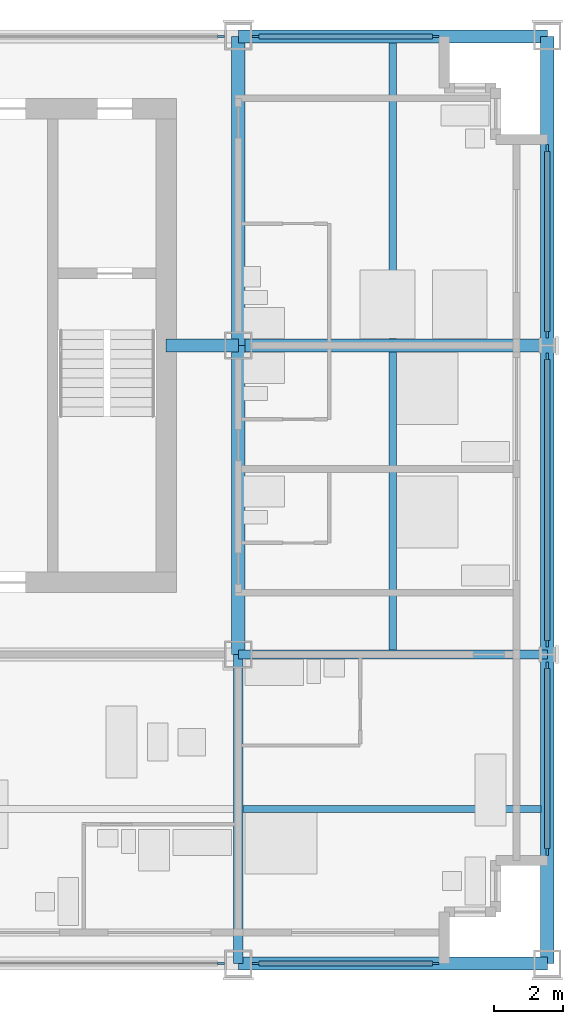
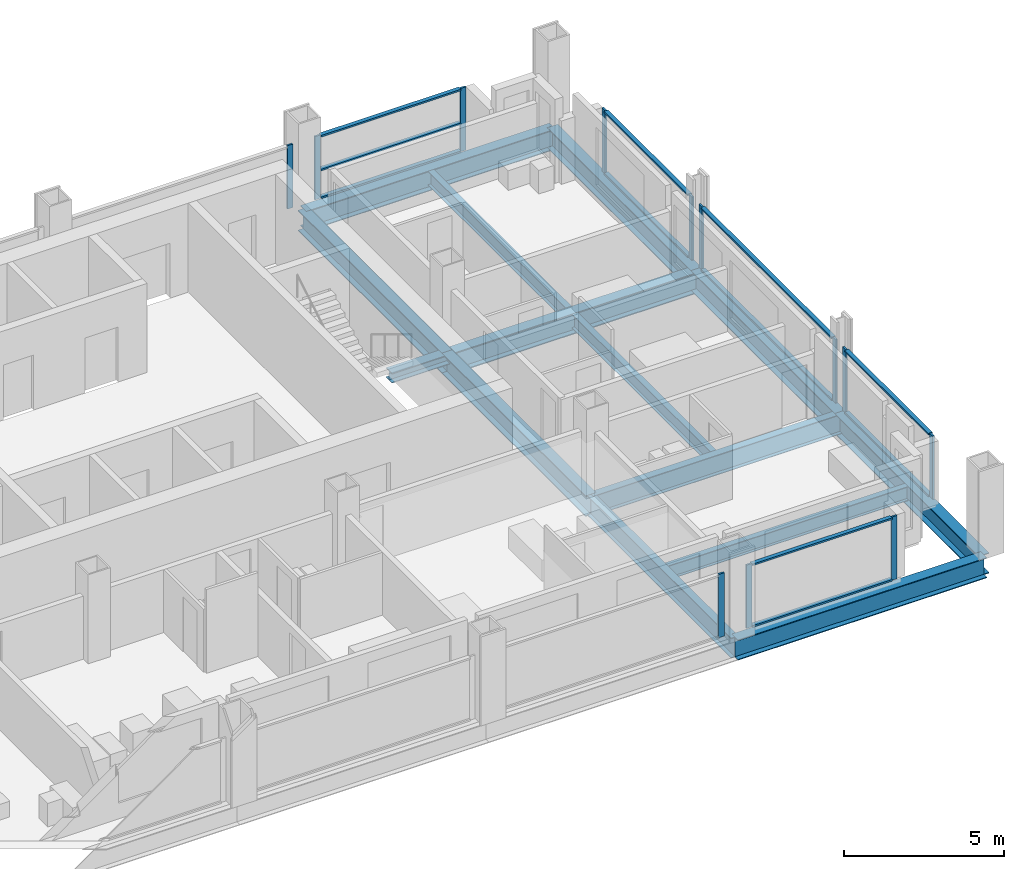
# One storey, part 5 of 13: 24 members, 13 beams, 7 elements without a shape of their own.
"""IFC4 building model written with IfcOpenShell, lengths in metres."""

from ifc_helpers import new_model, si_unit, direction, frame, origin, origin_2d, place, context, subcontext, project, spatial, rectangle, i_section, extrude, material, material_profile, profile_set, type_object, element, aggregate, save


model = new_model("IFC4")

# Units and contexts
model_context = context("Model", 3, precision=1e-05, world=origin(), true_north=direction((0.0, 1.0)))
body_context = subcontext(model_context, "Body", "Model", "MODEL_VIEW")
ifc_project = project(units=[si_unit("LENGTHUNIT", "METRE"), si_unit("AREAUNIT", "SQUARE_METRE"), si_unit("VOLUMEUNIT", "CUBIC_METRE"), si_unit("PLANEANGLEUNIT", "RADIAN"), si_unit("MASSUNIT", "GRAM", prefix="KILO")], contexts=[model_context])

# Site, building, storey
site_placement = place(None, origin())
site = spatial("IfcSite", under=ifc_project, at=site_placement, CompositionType="ELEMENT")
building_placement = place(site_placement, origin())
building = spatial("IfcBuilding", under=site, at=building_placement, Name="Loomwork Tower", CompositionType="ELEMENT")
storey_placement = place(building_placement, frame((0.0, 0.0, 201.199951171875)))
storey = spatial("IfcBuildingStorey", under=building, at=storey_placement, Name="L55", CompositionType="ELEMENT", Elevation=201.199951171875)

# Beams
ifc_material_1 = material(Name="Steel ASTM A992", Category="steel")
ifc_material_profile_1 = material_profile(ifc_material_1, i_section(OverallWidth=0.383544921875, OverallDepth=0.794921875, WebThickness=0.02099609375, FlangeThickness=0.0380859375, at=origin_2d()), Name="W30x235")
ifc_profile_set_1 = profile_set([ifc_material_profile_1], Name="Steel ASTM A992")
beam_type_1 = type_object("IfcBeamType", Name="CORE FLANK GIRDER W30x235", PredefinedType="BEAM", material=ifc_profile_set_1)
for number, where, z_axis, x_axis, name in (
    (1, (36.0, 18.0, -0.597412109375), (1.0, 0.0, 0.0), (0.0, 1.0, 0.0), "Core Flank Girder F/6-F/7 L55"),
    (2, (36.0, 9.0, -0.597412109375), (0.0, 1.0, 0.0), (-1.0, 0.0, 0.0), "Core Flank Girder E/6-F/6 L55"),
    (3, (36.0, 18.0, -0.597412109375), (0.0, 1.0, 0.0), (-1.0, 0.0, 0.0), "Core Flank Girder F/6-G/6 L55"),
):
    element("IfcBeam", number, at=place(storey_placement, frame(where, z_axis=z_axis, x_axis=x_axis)), inside=storey, type_object=beam_type_1, Name=name, PredefinedType="BEAM", context=body_context, shape_type="SweptSolid", body=[
        extrude(i_section(OverallWidth=0.383544921875, OverallDepth=0.794921875, WebThickness=0.02099609375, FlangeThickness=0.0380859375, at=origin_2d()), origin(), (0.0, 0.0, 1.0), 9.0),
    ])

# Member
ifc_material_2 = material(Name="Steel ASTM A992", Category="steel")
ifc_material_profile_2 = material_profile(ifc_material_2, i_section(OverallWidth=0.373291015625, OverallDepth=0.373291015625, WebThickness=0.016357421875, FlangeThickness=0.026123046875, at=origin_2d()), Name="W14x132")
ifc_profile_set_2 = profile_set([ifc_material_profile_2], Name="Steel ASTM A992")
member_type_1 = type_object("IfcMemberType", Name="CORE LINK STRUT W14x132", PredefinedType="STRUT", material=ifc_profile_set_2)
member_1_placement = place(storey_placement, frame((36.0, 18.0, -0.38671875), z_axis=(-1.0, 0.0, 0.0), x_axis=(0.0, -1.0, 0.0)))
element("IfcMember", 4, at=member_1_placement, inside=storey, type_object=member_type_1, Name="Core link strut F/6-33.900,18.000 L55", PredefinedType="STRUT", context=body_context, shape_type="SweptSolid", body=[
    extrude(i_section(OverallWidth=0.373291015625, OverallDepth=0.373291015625, WebThickness=0.016357421875, FlangeThickness=0.026123046875, at=origin_2d()), origin(), (0.0, 0.0, 1.0), 2.10009765625),
])

# Beams
ifc_material_3 = material(Name="Steel ASTM A992", Category="steel")
ifc_material_profile_3 = material_profile(ifc_material_3, i_section(OverallWidth=0.2666015625, OverallDepth=0.761962890625, WebThickness=0.014404296875, FlangeThickness=0.021484375, at=origin_2d()), Name="W30x116")
ifc_profile_set_3 = profile_set([ifc_material_profile_3], Name="Steel ASTM A992")
beam_type_2 = type_object("IfcBeamType", Name="FLOOR GIRDER W30x116", PredefinedType="BEAM", material=ifc_profile_set_3)
for number, where, z_axis, x_axis, name in (
    (5, (36.0, 9.0, -0.5810546875), (1.0, 0.0, 0.0), (0.0, 1.0, 0.0), "Floor Girder E/6-E/7 L55"),
    (6, (36.0, 0.0, -0.5810546875), (0.0, 1.0, 0.0), (-1.0, 0.0, 0.0), "Floor Girder D/6-E/6 L55"),
):
    element("IfcBeam", number, at=place(storey_placement, frame(where, z_axis=z_axis, x_axis=x_axis)), inside=storey, type_object=beam_type_2, Name=name, PredefinedType="BEAM", context=body_context, shape_type="SweptSolid", body=[
        extrude(i_section(OverallWidth=0.2666015625, OverallDepth=0.761962890625, WebThickness=0.014404296875, FlangeThickness=0.021484375, at=origin_2d()), origin(), (0.0, 0.0, 1.0), 9.0),
    ])
ifc_material_4 = material(Name="Steel ASTM A992", Category="steel")
ifc_material_profile_4 = material_profile(ifc_material_4, i_section(OverallWidth=0.2109375, OverallDepth=0.53857421875, WebThickness=0.011474609375, FlangeThickness=0.018798828125, at=origin_2d()), Name="W21x73")
ifc_profile_set_4 = profile_set([ifc_material_profile_4], Name="Steel ASTM A992")
beam_type_3 = type_object("IfcBeamType", Name="FLOOR JOIST W21x73", PredefinedType="JOIST", material=ifc_profile_set_4)
beam_1_placement = place(storey_placement, frame((36.133056640625, 4.5, -0.46923828125), z_axis=(1.0, 0.0, 0.0), x_axis=(0.0, 1.0, 0.0)))
element("IfcBeam", 7, at=beam_1_placement, inside=storey, type_object=beam_type_3, Name="Floor Joist 36.000,4.500-45.000,4.500 L55", PredefinedType="JOIST", context=body_context, shape_type="SweptSolid", body=[
    extrude(i_section(OverallWidth=0.2109375, OverallDepth=0.53857421875, WebThickness=0.011474609375, FlangeThickness=0.018798828125, at=origin_2d()), origin(), (0.0, 0.0, 1.0), 8.677001953125),
])
beam_2_placement = place(storey_placement, frame((40.5, 9.133056640625, -0.46923828125), z_axis=(0.0, 1.0, 0.0), x_axis=(-1.0, 0.0, 0.0)))
element("IfcBeam", 8, at=beam_2_placement, inside=storey, type_object=beam_type_3, Name="Floor Joist 40.500,9.000-40.500,18.000 L55", PredefinedType="JOIST", context=body_context, shape_type="SweptSolid", body=[
    extrude(i_section(OverallWidth=0.2109375, OverallDepth=0.53857421875, WebThickness=0.011474609375, FlangeThickness=0.018798828125, at=origin_2d()), origin(), (0.0, 0.0, 1.0), 8.676025390625),
])
beam_3_placement = place(storey_placement, frame((40.5, 18.19091796875, -0.46923828125), z_axis=(0.0, 1.0, 0.0), x_axis=(-1.0, 0.0, 0.0)))
element("IfcBeam", 9, at=beam_3_placement, inside=storey, type_object=beam_type_3, Name="Floor Joist 40.500,18.000-40.500,27.000 L55", PredefinedType="JOIST", context=body_context, shape_type="SweptSolid", body=[
    extrude(i_section(OverallWidth=0.2109375, OverallDepth=0.53857421875, WebThickness=0.011474609375, FlangeThickness=0.018798828125, at=origin_2d()), origin(), (0.0, 0.0, 1.0), 8.619140625),
])

# Curtain wall, member
ifc_material_5 = material(Name="Aluminium curtain wall frame", Category="aluminium")
curtain_wall_type_1 = type_object("IfcCurtainWallType", Name="Outer skin glazing hotel", PredefinedType="NOTDEFINED", material=ifc_material_5)
curtain_wall_1_placement = place(storey_placement, origin())
curtain_wall_1 = element("IfcCurtainWall", 10, at=curtain_wall_1_placement, inside=storey, type_object=curtain_wall_type_1, Name="Outer skin glazing hotel cw/S-27", PredefinedType="NOTDEFINED")
ifc_material_6 = material(Name="Aluminium curtain wall frame", Category="aluminium")
ifc_material_profile_5 = material_profile(ifc_material_6, rectangle(XDim=0.06494140625, YDim=0.199951171875, at=origin_2d()), Name="AL 65x200")
ifc_profile_set_5 = profile_set([ifc_material_profile_5], Name="Aluminium curtain wall frame")
member_type_2 = type_object("IfcMemberType", Name="Outer skin glazing hotel mullion", PredefinedType="MULLION", material=ifc_profile_set_5)
member_2_placement = place(storey_placement, frame((35.5, 0.0, 0.0), z_axis=(0.0, 0.0, 1.0), x_axis=(0.0, 1.0, 0.0)))
member_2 = element("IfcMember", 11, at=member_2_placement, type_object=member_type_2, Name="CW1 mullion 2", PredefinedType="MULLION", context=body_context, shape_type="SweptSolid", body=[
    extrude(rectangle(XDim=0.06494140625, YDim=0.199951171875, at=origin_2d()), origin(), (0.0, 0.0, 1.0), 2.420166015625),
])
aggregate(curtain_wall_1, [member_2])

# Curtain wall, members
curtain_wall_2_placement = place(storey_placement, origin())
curtain_wall_2 = element("IfcCurtainWall", 12, at=curtain_wall_2_placement, inside=storey, type_object=curtain_wall_type_1, Name="Outer skin glazing hotel cw/S-36", PredefinedType="NOTDEFINED")
member_3_placement = place(storey_placement, frame((36.5, 0.0, 0.0), z_axis=(0.0, 0.0, 1.0), x_axis=(0.0, 1.0, 0.0)))
member_3 = element("IfcMember", 13, at=member_3_placement, type_object=member_type_2, Name="CW1 mullion 1", PredefinedType="MULLION", context=body_context, shape_type="SweptSolid", body=[
    extrude(rectangle(XDim=0.06494140625, YDim=0.199951171875, at=origin_2d()), origin(), (0.0, 0.0, 1.0), 2.420166015625),
])
member_4_placement = place(storey_placement, frame((41.75, 0.0, 0.0), z_axis=(0.0, 0.0, 1.0), x_axis=(0.0, 1.0, 0.0)))
member_4 = element("IfcMember", 14, at=member_4_placement, type_object=member_type_2, Name="CW1 mullion 2", PredefinedType="MULLION", context=body_context, shape_type="SweptSolid", body=[
    extrude(rectangle(XDim=0.06494140625, YDim=0.199951171875, at=origin_2d()), origin(), (0.0, 0.0, 1.0), 2.420166015625),
])

curtain_wall_3_placement = place(storey_placement, origin())
curtain_wall_3 = element("IfcCurtainWall", 15, at=curtain_wall_3_placement, inside=storey, type_object=curtain_wall_type_1, Name="Outer skin glazing hotel cw/E-0", PredefinedType="NOTDEFINED")
member_5_placement = place(storey_placement, frame((45.0, 3.25, 0.0), z_axis=(0.0, 0.0, 1.0), x_axis=(-1.0, 0.0, 0.0)))
member_5 = element("IfcMember", 16, at=member_5_placement, type_object=member_type_2, Name="CW1 mullion 1", PredefinedType="MULLION", context=body_context, shape_type="SweptSolid", body=[
    extrude(rectangle(XDim=0.06494140625, YDim=0.199951171875, at=origin_2d()), origin(), (0.0, 0.0, 1.0), 2.420166015625),
])
member_6_placement = place(storey_placement, frame((45.0, 8.6865234375, 0.0), z_axis=(0.0, 0.0, 1.0), x_axis=(-1.0, 0.0, 0.0)))
member_6 = element("IfcMember", 17, at=member_6_placement, type_object=member_type_2, Name="CW1 mullion 2", PredefinedType="MULLION", context=body_context, shape_type="SweptSolid", body=[
    extrude(rectangle(XDim=0.06494140625, YDim=0.199951171875, at=origin_2d()), origin(), (0.0, 0.0, 1.0), 2.420166015625),
])

curtain_wall_4_placement = place(storey_placement, origin())
curtain_wall_4 = element("IfcCurtainWall", 18, at=curtain_wall_4_placement, inside=storey, type_object=curtain_wall_type_1, Name="Outer skin glazing hotel cw/E-9", PredefinedType="NOTDEFINED")
member_7_placement = place(storey_placement, frame((45.0, 9.3134765625, 0.0), z_axis=(0.0, 0.0, 1.0), x_axis=(-1.0, 0.0, 0.0)))
member_7 = element("IfcMember", 19, at=member_7_placement, type_object=member_type_2, Name="CW1 mullion 1", PredefinedType="MULLION", context=body_context, shape_type="SweptSolid", body=[
    extrude(rectangle(XDim=0.06494140625, YDim=0.199951171875, at=origin_2d()), origin(), (0.0, 0.0, 1.0), 2.420166015625),
])
member_8_placement = place(storey_placement, frame((45.0, 17.6865234375, 0.0), z_axis=(0.0, 0.0, 1.0), x_axis=(-1.0, 0.0, 0.0)))
member_8 = element("IfcMember", 20, at=member_8_placement, type_object=member_type_2, Name="CW1 mullion 2", PredefinedType="MULLION", context=body_context, shape_type="SweptSolid", body=[
    extrude(rectangle(XDim=0.06494140625, YDim=0.199951171875, at=origin_2d()), origin(), (0.0, 0.0, 1.0), 2.420166015625),
])

curtain_wall_5_placement = place(storey_placement, origin())
curtain_wall_5 = element("IfcCurtainWall", 21, at=curtain_wall_5_placement, inside=storey, type_object=curtain_wall_type_1, Name="Outer skin glazing hotel cw/E-18", PredefinedType="NOTDEFINED")
member_9_placement = place(storey_placement, frame((45.0, 18.3134765625, 0.0), z_axis=(0.0, 0.0, 1.0), x_axis=(-1.0, 0.0, 0.0)))
member_9 = element("IfcMember", 22, at=member_9_placement, type_object=member_type_2, Name="CW1 mullion 1", PredefinedType="MULLION", context=body_context, shape_type="SweptSolid", body=[
    extrude(rectangle(XDim=0.06494140625, YDim=0.199951171875, at=origin_2d()), origin(), (0.0, 0.0, 1.0), 2.420166015625),
])
member_10_placement = place(storey_placement, frame((45.0, 23.75, 0.0), z_axis=(0.0, 0.0, 1.0), x_axis=(-1.0, 0.0, 0.0)))
member_10 = element("IfcMember", 23, at=member_10_placement, type_object=member_type_2, Name="CW1 mullion 2", PredefinedType="MULLION", context=body_context, shape_type="SweptSolid", body=[
    extrude(rectangle(XDim=0.06494140625, YDim=0.199951171875, at=origin_2d()), origin(), (0.0, 0.0, 1.0), 2.420166015625),
])

# Member
ifc_material_7 = material(Name="Aluminium curtain wall frame", Category="aluminium")
ifc_material_profile_6 = material_profile(ifc_material_7, rectangle(XDim=0.14990234375, YDim=0.06494140625, at=origin_2d()), Name="AL 65x150")
ifc_profile_set_6 = profile_set([ifc_material_profile_6], Name="Aluminium curtain wall frame")
member_type_3 = type_object("IfcMemberType", Name="Outer skin glazing hotel transom", PredefinedType="USERDEFINED", material=ifc_profile_set_6)
member_11_placement = place(storey_placement, frame((36.60009765625, 0.0, 0.032470703125), z_axis=(1.0, 0.0, 0.0), x_axis=(0.0, 1.0, 0.0)))
member_11 = element("IfcMember", 24, at=member_11_placement, type_object=member_type_3, Name="CW1 transom 1.1", ObjectType="TRANSOM", PredefinedType="USERDEFINED", context=body_context, shape_type="SweptSolid", body=[
    extrude(rectangle(XDim=0.14990234375, YDim=0.06494140625, at=origin_2d()), origin(), (0.0, 0.0, 1.0), 5.0498046875),
])

member_12_placement = place(storey_placement, frame((36.60009765625, 0.0, 2.3876953125), z_axis=(1.0, 0.0, 0.0), x_axis=(0.0, 1.0, 0.0)))
member_12 = element("IfcMember", 25, at=member_12_placement, type_object=member_type_3, Name="CW1 transom 1.2", ObjectType="TRANSOM", PredefinedType="USERDEFINED", context=body_context, shape_type="SweptSolid", body=[
    extrude(rectangle(XDim=0.14990234375, YDim=0.06494140625, at=origin_2d()), origin(), (0.0, 0.0, 1.0), 5.0498046875),
])

aggregate(curtain_wall_2, [member_3, member_4, member_11, member_12])

member_13_placement = place(storey_placement, frame((45.0, 3.35009765625, 0.032470703125), z_axis=(0.0, 1.0, 0.0), x_axis=(-1.0, 0.0, 0.0)))
member_13 = element("IfcMember", 26, at=member_13_placement, type_object=member_type_3, Name="CW1 transom 1.1", ObjectType="TRANSOM", PredefinedType="USERDEFINED", context=body_context, shape_type="SweptSolid", body=[
    extrude(rectangle(XDim=0.14990234375, YDim=0.06494140625, at=origin_2d()), origin(), (0.0, 0.0, 1.0), 5.236572265625),
])

member_14_placement = place(storey_placement, frame((45.0, 3.35009765625, 2.3876953125), z_axis=(0.0, 1.0, 0.0), x_axis=(-1.0, 0.0, 0.0)))
member_14 = element("IfcMember", 27, at=member_14_placement, type_object=member_type_3, Name="CW1 transom 1.2", ObjectType="TRANSOM", PredefinedType="USERDEFINED", context=body_context, shape_type="SweptSolid", body=[
    extrude(rectangle(XDim=0.14990234375, YDim=0.06494140625, at=origin_2d()), origin(), (0.0, 0.0, 1.0), 5.236572265625),
])

aggregate(curtain_wall_3, [member_5, member_6, member_13, member_14])

member_15_placement = place(storey_placement, frame((45.0, 9.413330078125, 0.032470703125), z_axis=(0.0, 1.0, 0.0), x_axis=(-1.0, 0.0, 0.0)))
member_15 = element("IfcMember", 28, at=member_15_placement, type_object=member_type_3, Name="CW1 transom 1.1", ObjectType="TRANSOM", PredefinedType="USERDEFINED", context=body_context, shape_type="SweptSolid", body=[
    extrude(rectangle(XDim=0.14990234375, YDim=0.06494140625, at=origin_2d()), origin(), (0.0, 0.0, 1.0), 8.17333984375),
])

member_16_placement = place(storey_placement, frame((45.0, 9.413330078125, 2.3876953125), z_axis=(0.0, 1.0, 0.0), x_axis=(-1.0, 0.0, 0.0)))
member_16 = element("IfcMember", 29, at=member_16_placement, type_object=member_type_3, Name="CW1 transom 1.2", ObjectType="TRANSOM", PredefinedType="USERDEFINED", context=body_context, shape_type="SweptSolid", body=[
    extrude(rectangle(XDim=0.14990234375, YDim=0.06494140625, at=origin_2d()), origin(), (0.0, 0.0, 1.0), 8.17333984375),
])

aggregate(curtain_wall_4, [member_7, member_8, member_15, member_16])

member_17_placement = place(storey_placement, frame((45.0, 18.413330078125, 0.032470703125), z_axis=(0.0, 1.0, 0.0), x_axis=(-1.0, 0.0, 0.0)))
member_17 = element("IfcMember", 30, at=member_17_placement, type_object=member_type_3, Name="CW1 transom 1.1", ObjectType="TRANSOM", PredefinedType="USERDEFINED", context=body_context, shape_type="SweptSolid", body=[
    extrude(rectangle(XDim=0.14990234375, YDim=0.06494140625, at=origin_2d()), origin(), (0.0, 0.0, 1.0), 5.236572265625),
])

member_18_placement = place(storey_placement, frame((45.0, 18.413330078125, 2.3876953125), z_axis=(0.0, 1.0, 0.0), x_axis=(-1.0, 0.0, 0.0)))
member_18 = element("IfcMember", 31, at=member_18_placement, type_object=member_type_3, Name="CW1 transom 1.2", ObjectType="TRANSOM", PredefinedType="USERDEFINED", context=body_context, shape_type="SweptSolid", body=[
    extrude(rectangle(XDim=0.14990234375, YDim=0.06494140625, at=origin_2d()), origin(), (0.0, 0.0, 1.0), 5.236572265625),
])

aggregate(curtain_wall_5, [member_9, member_10, member_17, member_18])

# Beams
ifc_material_8 = material(Name="Steel ASTM A992", Category="steel")
ifc_material_profile_7 = material_profile(ifc_material_8, i_section(OverallWidth=0.381103515625, OverallDepth=0.77978515625, WebThickness=0.01806640625, FlangeThickness=0.0302734375, at=origin_2d()), Name="W30x191")
ifc_profile_set_7 = profile_set([ifc_material_profile_7], Name="Steel ASTM A992")
beam_type_4 = type_object("IfcBeamType", Name="SPANDREL GIRDER W30x191", PredefinedType="SPANDREL", material=ifc_profile_set_7)
for number, where, z_axis, x_axis, name in (
    (32, (36.0, 0.0, -0.58984375), (1.0, 0.0, 0.0), (0.0, 1.0, 0.0), "Spandrel Girder D/6-D/7 L55"),
    (33, (36.0, 27.0, -0.58984375), (1.0, 0.0, 0.0), (0.0, 1.0, 0.0), "Spandrel Girder G/6-G/7 L55"),
    (34, (45.0, 0.0, -0.58984375), (0.0, 1.0, 0.0), (-1.0, 0.0, 0.0), "Spandrel Girder D/7-E/7 L55"),
    (35, (45.0, 9.0, -0.58984375), (0.0, 1.0, 0.0), (-1.0, 0.0, 0.0), "Spandrel Girder E/7-F/7 L55"),
    (36, (45.0, 18.0, -0.58984375), (0.0, 1.0, 0.0), (-1.0, 0.0, 0.0), "Spandrel Girder F/7-G/7 L55"),
):
    element("IfcBeam", number, at=place(storey_placement, frame(where, z_axis=z_axis, x_axis=x_axis)), inside=storey, type_object=beam_type_4, Name=name, PredefinedType="SPANDREL", context=body_context, shape_type="SweptSolid", body=[
        extrude(i_section(OverallWidth=0.381103515625, OverallDepth=0.77978515625, WebThickness=0.01806640625, FlangeThickness=0.0302734375, at=origin_2d()), origin(), (0.0, 0.0, 1.0), 9.0),
    ])

# Curtain wall, member
ifc_material_9 = material(Name="Aluminium curtain wall frame", Category="aluminium")
curtain_wall_type_2 = type_object("IfcCurtainWallType", Name="Single skin glazing corridor", PredefinedType="NOTDEFINED", material=ifc_material_9)
curtain_wall_6_placement = place(storey_placement, origin())
curtain_wall_6 = element("IfcCurtainWall", 37, at=curtain_wall_6_placement, inside=storey, type_object=curtain_wall_type_2, Name="Single skin glazing corridor cw/N-27", PredefinedType="NOTDEFINED")
ifc_material_10 = material(Name="Aluminium curtain wall frame", Category="aluminium")
ifc_material_profile_8 = material_profile(ifc_material_10, rectangle(XDim=0.06494140625, YDim=0.199951171875, at=origin_2d()), Name="AL 65x200")
ifc_profile_set_8 = profile_set([ifc_material_profile_8], Name="Aluminium curtain wall frame")
member_type_4 = type_object("IfcMemberType", Name="Single skin glazing corridor mullion", PredefinedType="MULLION", material=ifc_profile_set_8)
member_19_placement = place(storey_placement, frame((35.5, 27.0, 0.0), z_axis=(0.0, 0.0, 1.0), x_axis=(0.0, -1.0, 0.0)))
member_19 = element("IfcMember", 38, at=member_19_placement, type_object=member_type_4, Name="CW3 mullion 1", PredefinedType="MULLION", context=body_context, shape_type="SweptSolid", body=[
    extrude(rectangle(XDim=0.06494140625, YDim=0.199951171875, at=origin_2d()), origin(), (0.0, 0.0, 1.0), 2.420166015625),
])
aggregate(curtain_wall_6, [member_19])

# Curtain wall, members
curtain_wall_7_placement = place(storey_placement, origin())
curtain_wall_7 = element("IfcCurtainWall", 39, at=curtain_wall_7_placement, inside=storey, type_object=curtain_wall_type_2, Name="Single skin glazing corridor cw/N-36", PredefinedType="NOTDEFINED")
member_20_placement = place(storey_placement, frame((41.75, 27.0, 0.0), z_axis=(0.0, 0.0, 1.0), x_axis=(0.0, -1.0, 0.0)))
member_20 = element("IfcMember", 40, at=member_20_placement, type_object=member_type_4, Name="CW3 mullion 1", PredefinedType="MULLION", context=body_context, shape_type="SweptSolid", body=[
    extrude(rectangle(XDim=0.06494140625, YDim=0.199951171875, at=origin_2d()), origin(), (0.0, 0.0, 1.0), 2.420166015625),
])
member_21_placement = place(storey_placement, frame((36.5, 27.0, 0.0), z_axis=(0.0, 0.0, 1.0), x_axis=(0.0, -1.0, 0.0)))
member_21 = element("IfcMember", 41, at=member_21_placement, type_object=member_type_4, Name="CW3 mullion 2", PredefinedType="MULLION", context=body_context, shape_type="SweptSolid", body=[
    extrude(rectangle(XDim=0.06494140625, YDim=0.199951171875, at=origin_2d()), origin(), (0.0, 0.0, 1.0), 2.420166015625),
])
ifc_material_11 = material(Name="Aluminium curtain wall frame", Category="aluminium")
ifc_material_profile_9 = material_profile(ifc_material_11, rectangle(XDim=0.14990234375, YDim=0.06494140625, at=origin_2d()), Name="AL 65x150")
ifc_profile_set_9 = profile_set([ifc_material_profile_9], Name="Aluminium curtain wall frame")
member_type_5 = type_object("IfcMemberType", Name="Single skin glazing corridor transom", PredefinedType="USERDEFINED", material=ifc_profile_set_9)
member_22_placement = place(storey_placement, frame((41.64990234375, 27.0, 0.032470703125), z_axis=(-1.0, 0.0, 0.0), x_axis=(0.0, -1.0, 0.0)))
member_22 = element("IfcMember", 42, at=member_22_placement, type_object=member_type_5, Name="CW3 transom 1.1", ObjectType="TRANSOM", PredefinedType="USERDEFINED", context=body_context, shape_type="SweptSolid", body=[
    extrude(rectangle(XDim=0.14990234375, YDim=0.06494140625, at=origin_2d()), origin(), (0.0, 0.0, 1.0), 5.0498046875),
])
member_23_placement = place(storey_placement, frame((41.64990234375, 27.0, 1.10009765625), z_axis=(-1.0, 0.0, 0.0), x_axis=(0.0, -1.0, 0.0)))
member_23 = element("IfcMember", 43, at=member_23_placement, type_object=member_type_5, Name="CW3 transom 1.2", ObjectType="TRANSOM", PredefinedType="USERDEFINED", context=body_context, shape_type="SweptSolid", body=[
    extrude(rectangle(XDim=0.14990234375, YDim=0.06494140625, at=origin_2d()), origin(), (0.0, 0.0, 1.0), 5.0498046875),
])
member_24_placement = place(storey_placement, frame((41.64990234375, 27.0, 2.3876953125), z_axis=(-1.0, 0.0, 0.0), x_axis=(0.0, -1.0, 0.0)))
member_24 = element("IfcMember", 44, at=member_24_placement, type_object=member_type_5, Name="CW3 transom 1.3", ObjectType="TRANSOM", PredefinedType="USERDEFINED", context=body_context, shape_type="SweptSolid", body=[
    extrude(rectangle(XDim=0.14990234375, YDim=0.06494140625, at=origin_2d()), origin(), (0.0, 0.0, 1.0), 5.0498046875),
])
aggregate(curtain_wall_7, [member_20, member_21, member_22, member_23, member_24])

save(model, "model.ifc")
